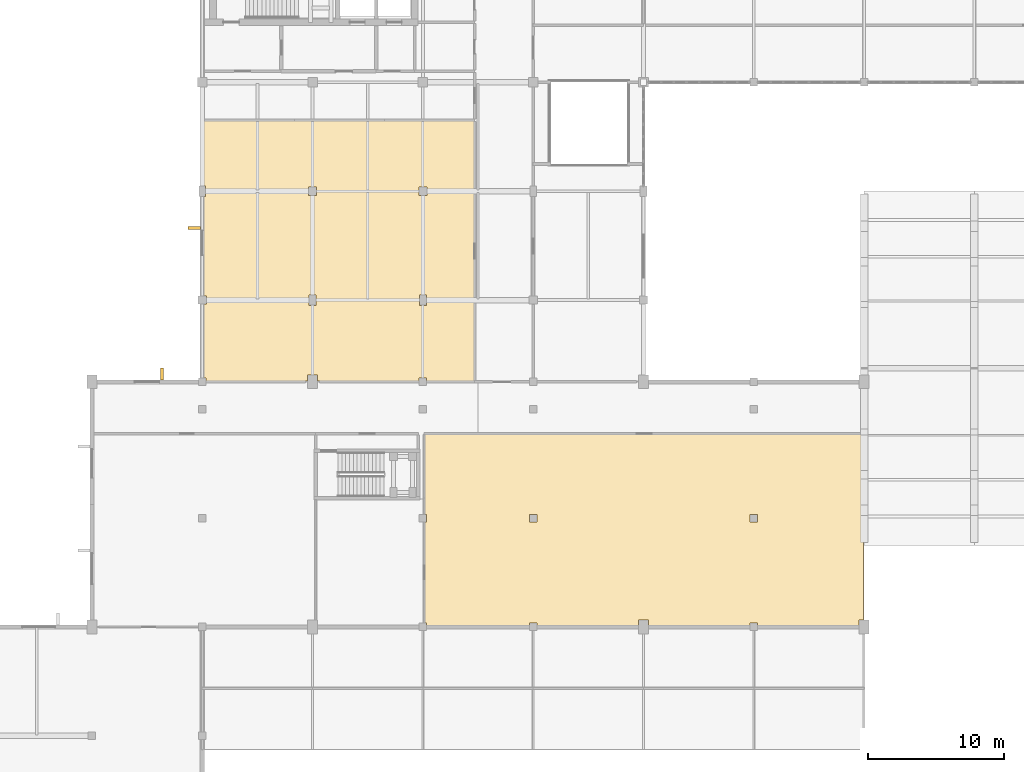
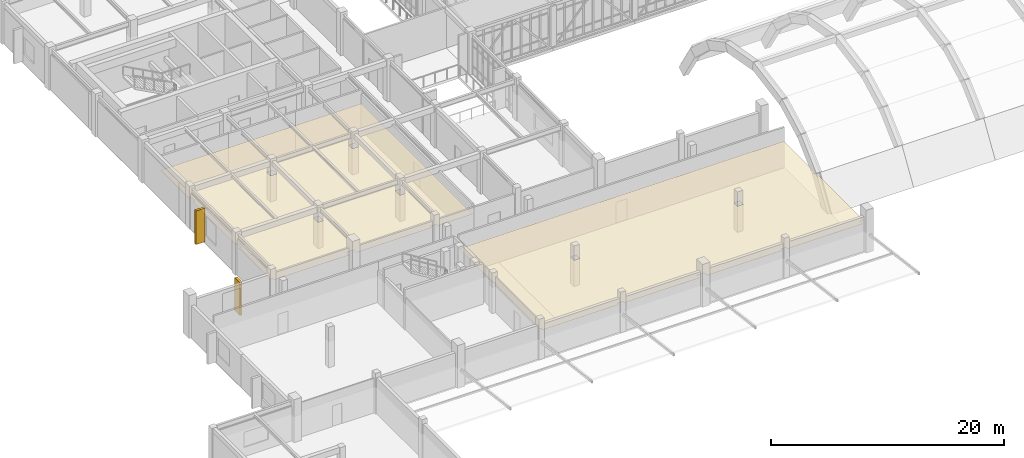
# One storey, part 60 of 67: 2 coverings, 2 shading devices.
"""IFC4 building model written with IfcOpenShell, lengths in metres."""

import ifcopenshell
import ifcopenshell.guid

model = None  # the IFC model being written
_history = None  # IfcOwnerHistory: only IFC2X3 demands one
_inside = {}  # id of a spatial element -> (the spatial element, [elements in it])
_under = {}  # id of a project, library or spatial element -> (it, [spatial elements below it])
_declared = {}  # id of a project -> (the project, [libraries it declares])
_typed = {}  # id of a type object -> (the type object, [elements of that type])
_made_of = {}  # id of a material, layer set ... -> (it, [elements and type objects made of it])


def new_model(schema):
    """Start an empty IFC model of exactly this schema.

    Asked for "IFC4X3", IfcOpenShell would pick the latest addendum, in which some entities
    have other attributes; the version numbers below select the first issue.
    IFC2X3 requires an IfcOwnerHistory on every rooted entity: one is made here for all.
    """
    global model, _history
    if schema == "IFC4X3":
        model = ifcopenshell.file(schema_version=(4, 3, 0, 0))
    else:
        model = ifcopenshell.file(schema=schema)
    _inside.clear()
    _under.clear()
    _declared.clear()
    _typed.clear()
    _made_of.clear()
    _history = None
    if model.schema == "IFC2X3":
        org = make("IfcOrganization", Name="unknown")
        user = make(
            "IfcPersonAndOrganization",
            ThePerson=make("IfcPerson", FamilyName="unknown"),
            TheOrganization=org,
        )
        app = make(
            "IfcApplication",
            ApplicationDeveloper=org,
            Version="unknown",
            ApplicationFullName="unknown",
            ApplicationIdentifier="unknown",
        )
        _history = make(
            "IfcOwnerHistory",
            OwningUser=user,
            OwningApplication=app,
            ChangeAction="ADDED",
            CreationDate=0,
        )
    return model


def make(cls, **values):
    """One entity of the class cls with the attributes given. An attribute that is None is left unset."""
    return model.create_entity(
        cls, **{name: value for name, value in values.items() if value is not None}
    )


def rooted(cls, **values):
    """An entity with a GlobalId (a new one), such as an element, a storey or a relation."""
    return make(cls, GlobalId=ifcopenshell.guid.new(), OwnerHistory=_history, **values)


def si_unit(unit_type, name, prefix=None):
    """IfcSIUnit, for example si_unit("LENGTHUNIT", "METRE", prefix="MILLI")."""
    return make("IfcSIUnit", UnitType=unit_type, Prefix=prefix, Name=name)


def assignment(units):
    """IfcUnitAssignment: the units of a project."""
    return None if units is None else make("IfcUnitAssignment", Units=units)


def point(xyz):
    """IfcCartesianPoint."""
    return None if xyz is None else make("IfcCartesianPoint", Coordinates=xyz)


def direction(xyz):
    """IfcDirection."""
    return None if xyz is None else make("IfcDirection", DirectionRatios=xyz)


def frame(location, z_axis=None, x_axis=None):
    """IfcAxis2Placement3D, a coordinate frame: its origin and axes. An axis left out is left unset."""
    return make(
        "IfcAxis2Placement3D",
        Location=point(location),
        Axis=direction(z_axis),
        RefDirection=direction(x_axis),
    )


def frame_2d(location, x_axis=None):
    """IfcAxis2Placement2D, a coordinate frame in the plane: its origin and x axis."""
    return make(
        "IfcAxis2Placement2D", Location=point(location), RefDirection=direction(x_axis)
    )


def origin():
    """The frame at (0, 0, 0) with its axes left unset."""
    return frame((0.0, 0.0, 0.0))


def origin_2d():
    """The frame at (0, 0) in the plane with its x axis left unset."""
    return frame_2d((0.0, 0.0))


def place(relative_to, where):
    """IfcLocalPlacement: puts the frame where relative to a parent placement (None: the world)."""
    return make(
        "IfcLocalPlacement", PlacementRelTo=relative_to, RelativePlacement=where
    )


def context(
    kind, dimensions, precision=None, world=None, true_north=None, identifier=None
):
    """IfcGeometricRepresentationContext, for example the 3D "Model" context."""
    return make(
        "IfcGeometricRepresentationContext",
        ContextIdentifier=identifier,
        ContextType=kind,
        CoordinateSpaceDimension=dimensions,
        Precision=precision,
        WorldCoordinateSystem=world,
        TrueNorth=true_north,
    )


def subcontext(parent, identifier, kind, view, scale=None):
    """IfcGeometricRepresentationSubContext, for example "Body" below "Model"."""
    return make(
        "IfcGeometricRepresentationSubContext",
        ContextIdentifier=identifier,
        ContextType=kind,
        ParentContext=parent,
        TargetScale=scale,
        TargetView=view,
    )


def project(units=None, contexts=None):
    """IfcProject with its units and contexts."""
    return rooted(
        "IfcProject",
        Name="project",
        RepresentationContexts=contexts,
        UnitsInContext=assignment(units),
    )


def spatial(cls, under=None, at=None, **own):
    """A site, building, storey or space (cls), placed at a placement, below another one or the project."""
    s = rooted(cls, ObjectPlacement=at, **own)
    if under is not None:
        _under.setdefault(under.id(), (under, []))[1].append(s)
    return s


def polyline(points):
    """IfcPolyline through the points."""
    return make("IfcPolyline", Points=[point(p) for p in points])


def profile(cls, at=None, kind="AREA", **sizes):
    """A parametric profile (cls). Its sizes go by their IFC names, for example OverallWidth=200.0."""
    return make(cls, ProfileType=kind, Position=at, **sizes)


def rectangle(**sizes):
    """IfcRectangleProfileDef."""
    return profile("IfcRectangleProfileDef", **sizes)


def outline(outer, holes=None, kind="AREA"):
    """IfcArbitraryClosedProfileDef: a profile drawn as a closed curve; with holes, ...WithVoids."""
    if holes is None:
        return make("IfcArbitraryClosedProfileDef", ProfileType=kind, OuterCurve=outer)
    return make(
        "IfcArbitraryProfileDefWithVoids",
        ProfileType=kind,
        OuterCurve=outer,
        InnerCurves=holes,
    )


def extrude(swept, where, along, depth):
    """IfcExtrudedAreaSolid: the profile swept, set in the frame where, extruded along a direction by depth."""
    return make(
        "IfcExtrudedAreaSolid",
        SweptArea=swept,
        Position=where,
        ExtrudedDirection=direction(along),
        Depth=depth,
    )


def shape(context_of_items, identifier, shape_type, items):
    """IfcShapeRepresentation: the items that make up one representation, for example the "Body"."""
    return make(
        "IfcShapeRepresentation",
        ContextOfItems=context_of_items,
        RepresentationIdentifier=identifier,
        RepresentationType=shape_type,
        Items=items,
    )


def material(Name=None, Category=None):
    """IfcMaterial."""
    return make("IfcMaterial", Name=Name, Category=Category)


def layer(
    of_material, thickness, ventilated=None, Name=None, Category=None, Priority=None
):
    """IfcMaterialLayer: one layer of a wall or slab, of a material (None: an air gap)."""
    return make(
        "IfcMaterialLayer",
        Material=of_material,
        LayerThickness=thickness,
        IsVentilated=ventilated,
        Name=Name,
        Category=Category,
        Priority=Priority,
    )


def layer_set(layers, Name=None):
    """IfcMaterialLayerSet."""
    return make("IfcMaterialLayerSet", MaterialLayers=layers, LayerSetName=Name)


def material_profile(
    of_material, cross_section, Name=None, Category=None, Priority=None
):
    """IfcMaterialProfile: a cross section and its material."""
    return make(
        "IfcMaterialProfile",
        Name=Name,
        Material=of_material,
        Profile=cross_section,
        Priority=Priority,
        Category=Category,
    )


def profile_set(profiles, Name=None, composite=None):
    """IfcMaterialProfileSet."""
    return make(
        "IfcMaterialProfileSet",
        Name=Name,
        MaterialProfiles=profiles,
        CompositeProfile=composite,
    )


def made_of(thing, what):
    """Note that an element or type object is made of a material, layer set ...; save() writes the relation."""
    if what is not None:
        _made_of.setdefault(what.id(), (what, []))[1].append(thing)
    return thing


def type_object(cls, material=None, **own):
    """A type object (cls), such as IfcWallType, which elements share."""
    return made_of(rooted(cls, **own), material)


def element(
    cls,
    number,
    at=None,
    inside=None,
    cuts=None,
    type_object=None,
    material=None,
    context=None,
    identifier="Body",
    shape_type=None,
    held_by="IfcProductDefinitionShape",
    body=None,
    shapes=None,
    **own,
):
    """One element of the class cls, such as IfcWall. Its Tag is "e" and its number.

    at: its placement. inside: the storey or other place that contains it. cuts: it is an
    opening in that element (IfcRelVoidsElement). A single representation is given by context,
    identifier, shape_type and body (its items); several are given by shapes. held_by: the class
    of the entity that holds the representations. save() writes the other relations.
    """
    e = rooted(cls, Tag="e%d" % number, ObjectPlacement=at, **own)
    if body is not None:
        shapes = [shape(context, identifier, shape_type, body)]
    if shapes is not None:
        e.Representation = make(held_by, Representations=shapes)
    if inside is not None:
        _inside.setdefault(inside.id(), (inside, []))[1].append(e)
    if cuts is not None:
        rooted(
            "IfcRelVoidsElement", RelatingBuildingElement=cuts, RelatedOpeningElement=e
        )
    if type_object is not None:
        _typed.setdefault(type_object.id(), (type_object, []))[1].append(e)
    return made_of(e, material)


def aggregate(whole, parts):
    """IfcRelAggregates: a whole, such as a stair, and the parts it consists of."""
    return rooted("IfcRelAggregates", RelatingObject=whole, RelatedObjects=parts)


def save(model, path):
    """Write the relations noted so far, then the file.

    IfcRelAggregates (storeys below a building ...), IfcRelContainedInSpatialStructure (elements
    in a storey), IfcRelDefinesByType, IfcRelAssociatesMaterial and IfcRelDeclares: one each for
    every whole, place, type object, material and project.
    """
    for whole, parts in _under.values():
        aggregate(whole, parts)
    for where, things in _inside.values():
        rooted(
            "IfcRelContainedInSpatialStructure",
            RelatedElements=things,
            RelatingStructure=where,
        )
    for kind, things in _typed.values():
        rooted("IfcRelDefinesByType", RelatedObjects=things, RelatingType=kind)
    for what, things in _made_of.values():
        rooted("IfcRelAssociatesMaterial", RelatedObjects=things, RelatingMaterial=what)
    for by, libraries in _declared.values():
        rooted("IfcRelDeclares", RelatingContext=by, RelatedDefinitions=libraries)
    model.write(path)


model = new_model("IFC4")

# Units and contexts
model_context = context("Model", 3, precision=1e-05, world=origin(), true_north=direction((0.0, 1.0)))
body_context = subcontext(model_context, "Body", "Model", "MODEL_VIEW")
ifc_project = project(units=[si_unit("LENGTHUNIT", "METRE"), si_unit("AREAUNIT", "SQUARE_METRE"), si_unit("VOLUMEUNIT", "CUBIC_METRE"), si_unit("PLANEANGLEUNIT", "RADIAN"), si_unit("MASSUNIT", "GRAM", prefix="KILO")], contexts=[model_context])

# Site, building, storey
site_placement = place(None, origin())
site = spatial("IfcSite", under=ifc_project, at=site_placement, CompositionType="ELEMENT")
building_placement = place(site_placement, origin())
building = spatial("IfcBuilding", under=site, at=building_placement, Name="Tarnveldt Square Police Headquarters", CompositionType="ELEMENT")
storey_placement = place(building_placement, frame((0.0, 0.0, 10.199951171875)))
storey = spatial("IfcBuildingStorey", under=building, at=storey_placement, Name="L02", CompositionType="ELEMENT", Elevation=10.199951171875)

# Coverings
ifc_material_1 = material(Name="Mineral-fibre acoustic ceiling tile", Category="gypsum")
ifc_layer = layer(ifc_material_1, 0.02001953125)
ifc_layer_set = layer_set([ifc_layer], Name="Mineral-fibre acoustic ceiling tile")
covering_type = type_object("IfcCoveringType", Name="COV-CEIL-20", PredefinedType="CEILING", material=ifc_layer_set)
covering_1_placement = place(storey_placement, frame((0.0, 0.0, 2.75)))
element("IfcCovering", 1, at=covering_1_placement, inside=storey, type_object=covering_type, Name="Central Police Records and FOI Bureau Acoustic Ceiling", PredefinedType="CEILING", context=body_context, shape_type="SweptSolid", body=[
    extrude(outline(polyline([(32.550048828125, 30.14990234375), (64.75, 30.14990234375), (64.75, 16.501953125), (64.423095703125, 16.501953125), (64.423095703125, 16.050048828125), (56.97705078125, 16.050048828125), (56.97705078125, 16.277099609375), (56.423095703125, 16.277099609375), (56.423095703125, 16.050048828125), (48.97705078125, 16.050048828125), (48.97705078125, 16.501953125), (48.222900390625, 16.501953125), (48.222900390625, 16.050048828125), (40.777099609375, 16.050048828125), (40.777099609375, 16.277099609375), (40.222900390625, 16.277099609375), (40.222900390625, 16.050048828125), (32.677001953125, 16.050048828125), (32.677001953125, 16.277099609375), (32.550048828125, 16.277099609375), (32.550048828125, 23.722900390625), (32.677001953125, 23.722900390625), (32.677001953125, 24.277099609375), (32.550048828125, 24.277099609375), (32.550048828125, 30.14990234375)]), holes=[polyline([(56.423095703125, 24.277099609375), (56.423095703125, 23.722900390625), (56.97705078125, 23.722900390625), (56.97705078125, 24.277099609375), (56.423095703125, 24.277099609375)]), polyline([(40.222900390625, 24.277099609375), (40.222900390625, 23.722900390625), (40.777099609375, 23.722900390625), (40.777099609375, 24.277099609375), (40.222900390625, 24.277099609375)])]), origin(), (0.0, 0.0, 1.0), 0.02001953125),
])
covering_2_placement = place(storey_placement, frame((0.0, 0.0, 2.75)))
element("IfcCovering", 2, at=covering_2_placement, inside=storey, type_object=covering_type, Name="Central Division Detective Squad Room Acoustic Ceiling", PredefinedType="CEILING", context=body_context, shape_type="SweptSolid", body=[
    extrude(outline(polyline([(16.25, 53.14990234375), (36.14990234375, 53.14990234375), (36.14990234375, 34.050048828125), (32.677001953125, 34.050048828125), (32.677001953125, 34.277099609375), (32.123046875, 34.277099609375), (32.123046875, 34.050048828125), (24.677001953125, 34.050048828125), (24.677001953125, 34.501953125), (23.923095703125, 34.501953125), (23.923095703125, 34.050048828125), (16.47705078125, 34.050048828125), (16.47705078125, 34.277099609375), (16.25, 34.277099609375), (16.25, 39.697998046875), (16.501953125, 39.697998046875), (16.501953125, 40.302001953125), (16.25, 40.302001953125), (16.25, 47.623046875), (16.451904296875, 47.623046875), (16.451904296875, 48.376953125), (16.25, 48.376953125), (16.25, 53.14990234375)]), holes=[polyline([(32.097900390625, 48.302001953125), (32.097900390625, 47.697998046875), (32.701904296875, 47.697998046875), (32.701904296875, 48.302001953125), (32.097900390625, 48.302001953125)]), polyline([(32.652099609375, 40.376953125), (32.14794921875, 40.376953125), (32.14794921875, 39.623046875), (32.652099609375, 39.623046875), (32.652099609375, 40.376953125)]), polyline([(24.60205078125, 48.302001953125), (23.998046875, 48.302001953125), (23.998046875, 47.697998046875), (24.60205078125, 47.697998046875), (24.60205078125, 48.302001953125)]), polyline([(24.552001953125, 40.376953125), (24.048095703125, 40.376953125), (24.048095703125, 39.623046875), (24.552001953125, 39.623046875), (24.552001953125, 40.376953125)])]), origin(), (0.0, 0.0, 1.0), 0.02001953125),
])

# Shading devices
ifc_material_2 = material(Name="Precast concrete 35 MPa", Category="concrete")
ifc_material_profile = material_profile(ifc_material_2, rectangle(XDim=0.219970703125, YDim=0.89990234375, at=origin_2d()), Name="PC-FIN220x900")
ifc_profile_set = profile_set([ifc_material_profile], Name="Precast concrete 35 MPa")
shading_device_type = type_object("IfcShadingDeviceType", Name="SHD-FIN-900", PredefinedType="USERDEFINED", material=ifc_profile_set)
shading_device_1_placement = place(storey_placement, frame((15.610107421875, 45.300048828125, 0.150146484375), z_axis=(0.0, 0.0, 1.0), x_axis=(0.0, -1.0, 0.0)))
element("IfcShadingDevice", 3, at=shading_device_1_placement, inside=storey, type_object=shading_device_type, Name="L02 Precast Deep-Reveal Brutalist Fin 027", ObjectType="SOLAR SHADING FIN", PredefinedType="USERDEFINED", context=body_context, shape_type="SweptSolid", body=[
    extrude(rectangle(XDim=0.219970703125, YDim=0.89990234375, at=origin_2d()), origin(), (0.0, 0.0, 1.0), 3.531982421875),
])
shading_device_2_placement = place(storey_placement, frame((13.25, 34.580078125, 0.150146484375), z_axis=(0.0, 0.0, 1.0), x_axis=(-1.0, 0.0, 0.0)))
element("IfcShadingDevice", 4, at=shading_device_2_placement, inside=storey, type_object=shading_device_type, Name="L02 Precast Deep-Reveal Brutalist Fin 028", ObjectType="SOLAR SHADING FIN", PredefinedType="USERDEFINED", context=body_context, shape_type="SweptSolid", body=[
    extrude(rectangle(XDim=0.219970703125, YDim=0.89990234375, at=origin_2d()), origin(), (0.0, 0.0, 1.0), 3.419921875),
])

save(model, "model.ifc")
